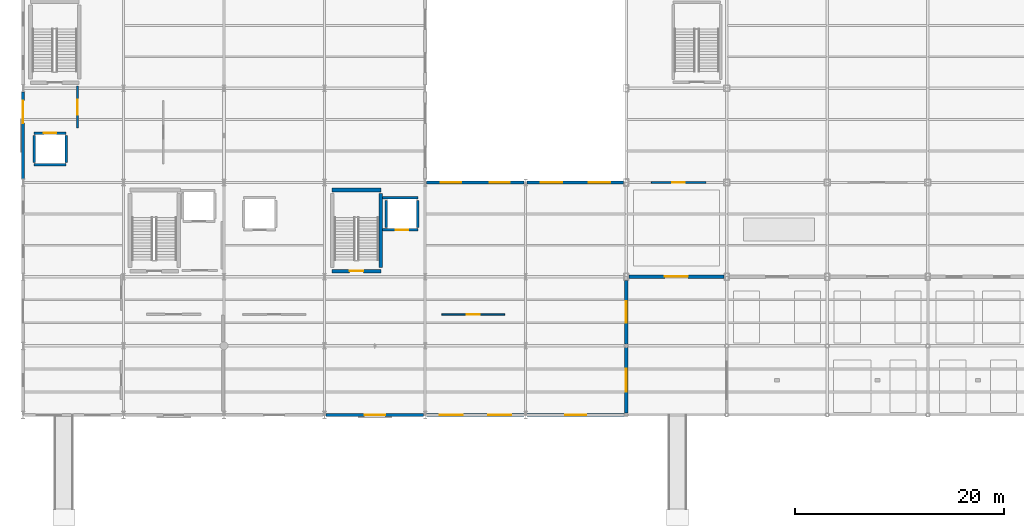
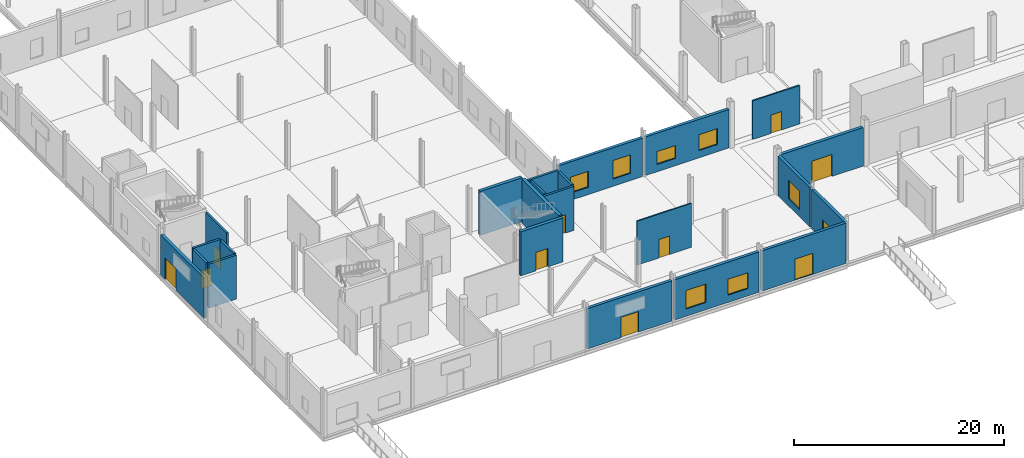
# One storey, part 66 of 85: 23 walls, 10 doors, 8 windows, 18 openings.
"""IFC4 building model written with IfcOpenShell, lengths in metres."""

from ifc_helpers import new_model, si_unit, direction, frame, frame_2d, origin, place, context, subcontext, project, spatial, rectangle, extrude, material, layer, layer_set, type_object, element, fill, save


model = new_model("IFC4")

# Units and contexts
model_context = context("Model", 3, precision=1e-05, world=origin(), true_north=direction((0.0, 1.0)))
body_context = subcontext(model_context, "Body", "Model", "MODEL_VIEW")
ifc_project = project(units=[si_unit("LENGTHUNIT", "METRE"), si_unit("AREAUNIT", "SQUARE_METRE"), si_unit("VOLUMEUNIT", "CUBIC_METRE"), si_unit("PLANEANGLEUNIT", "RADIAN"), si_unit("MASSUNIT", "GRAM", prefix="KILO")], contexts=[model_context])

# Site, building, storey
site_placement = place(None, origin())
site = spatial("IfcSite", under=ifc_project, at=site_placement, CompositionType="ELEMENT")
building_placement = place(site_placement, origin())
building = spatial("IfcBuilding", under=site, at=building_placement, Name="Zarnetskaya Central Station", CompositionType="ELEMENT")
storey_placement = place(building_placement, origin())
storey = spatial("IfcBuildingStorey", under=building, at=storey_placement, Name="L00", CompositionType="ELEMENT", Elevation=0.0)

# Wall, opening, door
ifc_material_1 = material(Name="Gypsum acoustic partition")
ifc_layer_1 = layer(ifc_material_1, 0.159912109375, Name="Gypsum acoustic partition")
ifc_layer_set_1 = layer_set([ifc_layer_1], Name="Gypsum acoustic partition")
wall_type_1 = type_object("IfcWallType", Name="PART-ACOU-160", PredefinedType="PARTITIONING", material=ifc_layer_set_1)
wall_1_placement = place(storey_placement, frame((60.0, 22.199951171875, 0.0), z_axis=(0.0, 0.0, 1.0), x_axis=(1.0, 0.0, 0.0)))
wall_1 = element("IfcWall", 1, at=wall_1_placement, inside=storey, type_object=wall_type_1, Name="Interior partition IPRT-L00-0383", PredefinedType="PARTITIONING", context=body_context, shape_type="SweptSolid", body=[
    extrude(rectangle(XDim=5.199951171875, YDim=0.159912109375, at=frame_2d((2.60009765625, 0.0))), origin(), (0.0, 0.0, 1.0), 4.489990234375),
])
opening_1_placement = place(wall_1_placement, frame((2.0, 0.0, 0.0)))
opening_1 = element("IfcOpeningElement", 2, at=opening_1_placement, cuts=wall_1, Name="Opening DR-17", PredefinedType="OPENING", context=body_context, shape_type="SweptSolid", body=[
    extrude(rectangle(XDim=1.199951171875, YDim=2.14990234375, at=frame_2d((0.60009765625, 1.074951171875))), frame((0.0, 0.08984375, 0.0), z_axis=(0.0, -1.0, 0.0), x_axis=(1.0, 0.0, 0.0)), (0.0, 0.0, 1.0), 0.179931640625),
])
ifc_material_2 = material(Name="Anodised aluminium", Category="aluminium")
door_type_1 = type_object("IfcDoorType", Name="DR-INT-09", OperationType="NOTDEFINED", PredefinedType="DOOR", material=ifc_material_2)
door_1_placement = place(opening_1_placement, origin())
door_1 = element("IfcDoor", 3, at=door_1_placement, inside=storey, type_object=door_type_1, Name="South Eaves Intercity Ticket Counters door", OperationType="SINGLE_SWING_LEFT", OverallHeight=2.14990234375, OverallWidth=1.199951171875, PredefinedType="DOOR", context=body_context, shape_type="SweptSolid", body=[
    extrude(rectangle(XDim=1.199951171875, YDim=2.14990234375, at=frame_2d((0.60009765625, 1.074951171875))), frame((0.0, 0.02490234375, 0.0), z_axis=(0.0, -1.0, 0.0), x_axis=(1.0, 0.0, 0.0)), (0.0, 0.0, 1.0), 0.050048828125),
])
fill(opening_1, door_1)

ifc_material_3 = material(Name="Concrete C30/37", Category="concrete")
ifc_layer_2 = layer(ifc_material_3, 0.205078125, Name="Concrete C30/37", Category="concrete")
ifc_layer_set_2 = layer_set([ifc_layer_2], Name="Concrete C30/37")
wall_type_2 = type_object("IfcWallType", Name="PART-FFL-205", PredefinedType="PARTITIONING", material=ifc_layer_set_2)
wall_2_placement = place(storey_placement, frame((5.199951171875, 31.39990234375, 0.0), z_axis=(0.0, 0.0, 1.0), x_axis=(0.0, -1.0, 0.0)))
wall_2 = element("IfcWall", 4, at=wall_2_placement, inside=storey, type_object=wall_type_2, Name="Interior partition IPRT-L00-0358", PredefinedType="PARTITIONING", context=body_context, shape_type="SweptSolid", body=[
    extrude(rectangle(XDim=4.0, YDim=0.205078125, at=frame_2d((2.0, 0.0))), origin(), (0.0, 0.0, 1.0), 5.1201171875),
])
opening_2_placement = place(wall_2_placement, frame((1.280029296875, 0.0, 0.0)))
opening_2 = element("IfcOpeningElement", 5, at=opening_2_placement, cuts=wall_2, Name="Opening DR-FFL", PredefinedType="OPENING", context=body_context, shape_type="SweptSolid", body=[
    extrude(rectangle(XDim=1.43994140625, YDim=2.179931640625, at=frame_2d((0.719970703125, 1.08984375))), frame((0.0, 0.112548828125, 0.0), z_axis=(0.0, -1.0, 0.0), x_axis=(1.0, 0.0, 0.0)), (0.0, 0.0, 1.0), 0.22509765625),
])
door_type_2 = type_object("IfcDoorType", Name="DR-FIRE-LOBBY", OperationType="NOTDEFINED", PredefinedType="DOOR", material=ifc_material_2)
door_2_placement = place(opening_2_placement, origin())
door_2 = element("IfcDoor", 6, at=door_2_placement, inside=storey, type_object=door_type_2, Name="Firefighting Lift Lobby C2 door", OperationType="SINGLE_SWING_LEFT", OverallHeight=2.179931640625, OverallWidth=1.43994140625, PredefinedType="DOOR", context=body_context, shape_type="SweptSolid", body=[
    extrude(rectangle(XDim=1.43994140625, YDim=2.179931640625, at=frame_2d((0.719970703125, 1.08984375))), frame((0.0, 0.02490234375, 0.0), z_axis=(0.0, -1.0, 0.0), x_axis=(1.0, 0.0, 0.0)), (0.0, 0.0, 1.0), 0.050048828125),
])
fill(opening_2, door_2)

ifc_layer_3 = layer(ifc_material_1, 0.1298828125, Name="Gypsum acoustic partition")
ifc_layer_set_3 = layer_set([ifc_layer_3], Name="Gypsum acoustic partition")
wall_type_3 = type_object("IfcWallType", Name="PART-OFF-130", PredefinedType="PARTITIONING", material=ifc_layer_set_3)
wall_3_placement = place(storey_placement, frame((40.0, 9.60009765625, 0.0), z_axis=(0.0, 0.0, 1.0), x_axis=(1.0, 0.0, 0.0)))
wall_3 = element("IfcWall", 7, at=wall_3_placement, inside=storey, type_object=wall_type_3, Name="Interior partition IPRT-L00-0406", PredefinedType="PARTITIONING", context=body_context, shape_type="SweptSolid", body=[
    extrude(rectangle(XDim=6.0, YDim=0.1298828125, at=frame_2d((3.0, 0.0))), origin(), (0.0, 0.0, 1.0), 5.1201171875),
])
opening_3_placement = place(wall_3_placement, frame((2.39990234375, 0.0, 0.0)))
opening_3 = element("IfcOpeningElement", 8, at=opening_3_placement, cuts=wall_3, Name="Opening DR-17", PredefinedType="OPENING", context=body_context, shape_type="SweptSolid", body=[
    extrude(rectangle(XDim=1.199951171875, YDim=2.14990234375, at=frame_2d((0.60009765625, 1.074951171875))), frame((0.0, 0.074951171875, 0.0), z_axis=(0.0, -1.0, 0.0), x_axis=(1.0, 0.0, 0.0)), (0.0, 0.0, 1.0), 0.14990234375),
])
door_3_placement = place(opening_3_placement, origin())
door_3 = element("IfcDoor", 9, at=door_3_placement, inside=storey, type_object=door_type_1, Name="VIP and Assisted Mobility Reception Lounge door", OperationType="SINGLE_SWING_RIGHT", OverallHeight=2.14990234375, OverallWidth=1.199951171875, PredefinedType="DOOR", context=body_context, shape_type="SweptSolid", body=[
    extrude(rectangle(XDim=1.199951171875, YDim=2.14990234375, at=frame_2d((0.60009765625, 1.074951171875))), frame((0.0, 0.02490234375, 0.0), z_axis=(0.0, -1.0, 0.0), x_axis=(1.0, 0.0, 0.0)), (0.0, 0.0, 1.0), 0.050048828125),
])
fill(opening_3, door_3)

ifc_material_4 = material(Name="Concrete C35/45", Category="concrete")
ifc_layer_4 = layer(ifc_material_4, 0.35009765625, Name="Concrete C35/45", Category="concrete")
ifc_layer_set_4 = layer_set([ifc_layer_4], Name="Concrete C35/45")
wall_type_4 = type_object("IfcWallType", Name="WALL-CORE-350", PredefinedType="SHEAR", material=ifc_layer_set_4)
wall_4_placement = place(storey_placement, frame((34.175048828125, 13.72509765625, 0.0), z_axis=(0.0, 0.0, 1.0), x_axis=(-1.0, 0.0, 0.0)))
wall_4 = element("IfcWall", 10, at=wall_4_placement, inside=storey, type_object=wall_type_4, Name="Core shear wall WSTR-L00-0249", PredefinedType="SHEAR", context=body_context, shape_type="SweptSolid", body=[
    extrude(rectangle(XDim=4.650146484375, YDim=0.35009765625, at=frame_2d((2.3251953125, 0.0))), origin(), (0.0, 0.0, 1.0), 5.1201171875),
])
opening_4_placement = place(wall_4_placement, frame((1.6650390625, 0.0, 0.0)))
opening_4 = element("IfcOpeningElement", 11, at=opening_4_placement, cuts=wall_4, Name="Opening DR-FD60", PredefinedType="OPENING", context=body_context, shape_type="SweptSolid", body=[
    extrude(rectangle(XDim=1.320068359375, YDim=2.14990234375, at=frame_2d((0.66015625, 1.074951171875))), frame((0.0, 0.18505859375, 0.0), z_axis=(0.0, -1.0, 0.0), x_axis=(1.0, 0.0, 0.0)), (0.0, 0.0, 1.0), 0.3701171875),
])
door_type_3 = type_object("IfcDoorType", Name="DR-FIRE-STAIR", OperationType="NOTDEFINED", PredefinedType="DOOR", material=ifc_material_2)
door_4_placement = place(opening_4_placement, origin())
door_4 = element("IfcDoor", 12, at=door_4_placement, inside=storey, type_object=door_type_3, Name="Protected exit stair door ST-C3 L00", OperationType="SINGLE_SWING_RIGHT", OverallHeight=2.14990234375, OverallWidth=1.320068359375, PredefinedType="DOOR", context=body_context, shape_type="SweptSolid", body=[
    extrude(rectangle(XDim=1.320068359375, YDim=2.14990234375, at=frame_2d((0.66015625, 1.074951171875))), frame((0.0, 0.02490234375, 0.0), z_axis=(0.0, -1.0, 0.0), x_axis=(1.0, 0.0, 0.0)), (0.0, 0.0, 1.0), 0.050048828125),
])
fill(opening_4, door_4)

# Walls
wall_5_placement = place(storey_placement, frame((29.52490234375, 21.47509765625, 0.0), z_axis=(0.0, 0.0, 1.0), x_axis=(1.0, 0.0, 0.0)))
element("IfcWall", 13, at=wall_5_placement, inside=storey, type_object=wall_type_4, Name="Core shear wall WSTR-L00-0250", PredefinedType="SHEAR", context=body_context, shape_type="SweptSolid", body=[
    extrude(rectangle(XDim=4.650146484375, YDim=0.35009765625, at=frame_2d((2.3251953125, 0.0))), origin(), (0.0, 0.0, 1.0), 5.1201171875),
])
wall_6_placement = place(storey_placement, frame((34.175048828125, 21.125, 0.0), z_axis=(0.0, 0.0, 1.0), x_axis=(0.0, -1.0, 0.0)))
element("IfcWall", 14, at=wall_6_placement, inside=storey, type_object=wall_type_4, Name="Core shear wall WSTR-L00-0252", PredefinedType="SHEAR", context=body_context, shape_type="SweptSolid", body=[
    extrude(rectangle(XDim=7.050048828125, YDim=0.35009765625, at=frame_2d((3.52490234375, 0.0))), origin(), (0.0, 0.0, 1.0), 5.1201171875),
])

# Wall, opening, door
ifc_material_5 = material(Name="Precast concrete C40/50", Category="concrete")
ifc_layer_5 = layer(ifc_material_5, 0.340087890625, Name="Precast concrete C40/50", Category="concrete")
ifc_layer_set_5 = layer_set([ifc_layer_5], Name="Precast concrete C40/50")
wall_type_5 = type_object("IfcWallType", Name="WALL-EAVE-340", PredefinedType="SOLIDWALL", material=ifc_layer_set_5)
wall_7_placement = place(storey_placement, frame((66.949951171875, 13.199951171875, 0.0), z_axis=(0.0, 0.0, 1.0), x_axis=(-1.0, 0.0, 0.0)))
wall_7 = element("IfcWall", 15, at=wall_7_placement, inside=storey, type_object=wall_type_5, Name="Exterior precast wall EW-L00-670-132-578-132", PredefinedType="SOLIDWALL", context=body_context, shape_type="SweptSolid", body=[
    extrude(rectangle(XDim=9.099853515625, YDim=0.340087890625, at=frame_2d((4.5498046875, 0.0))), origin(), (0.0, 0.0, 1.0), 4.489990234375),
])
opening_5_placement = place(wall_7_placement, frame((3.449951171875, 0.0, 0.0)))
opening_5 = element("IfcOpeningElement", 16, at=opening_5_placement, cuts=wall_7, Name="Opening ED-02", PredefinedType="OPENING", context=body_context, shape_type="SweptSolid", body=[
    extrude(rectangle(XDim=2.199951171875, YDim=2.550048828125, at=frame_2d((1.10009765625, 1.27490234375))), frame((0.0, 0.18017578125, 0.0), z_axis=(0.0, -1.0, 0.0), x_axis=(1.0, 0.0, 0.0)), (0.0, 0.0, 1.0), 0.360107421875),
])
door_type_4 = type_object("IfcDoorType", Name="DR-EXT-220x255", OperationType="NOTDEFINED", PredefinedType="DOOR", material=ifc_material_2)
door_5_placement = place(opening_5_placement, origin())
door_5 = element("IfcDoor", 17, at=door_5_placement, inside=storey, type_object=door_type_4, Name="Pedestrian final exit door ED-09", OperationType="DOUBLE_DOOR_SINGLE_SWING", OverallHeight=2.550048828125, OverallWidth=2.199951171875, PredefinedType="DOOR", context=body_context, shape_type="SweptSolid", body=[
    extrude(rectangle(XDim=2.199951171875, YDim=2.550048828125, at=frame_2d((1.10009765625, 1.27490234375))), frame((0.0, 0.02490234375, 0.0), z_axis=(0.0, -1.0, 0.0), x_axis=(1.0, 0.0, 0.0)), (0.0, 0.0, 1.0), 0.050048828125),
])
fill(opening_5, door_5)

ifc_layer_6 = layer(ifc_material_5, 0.320068359375, Name="Precast concrete C40/50", Category="concrete")
ifc_layer_set_6 = layer_set([ifc_layer_6], Name="Precast concrete C40/50")
wall_type_6 = type_object("IfcWallType", Name="WALL-EXT-320", PredefinedType="SOLIDWALL", material=ifc_layer_set_6)
wall_8_placement = place(storey_placement, frame((0.0, 22.550048828125, 0.0), z_axis=(0.0, 0.0, 1.0), x_axis=(0.0, 1.0, 0.0)))
wall_8 = element("IfcWall", 18, at=wall_8_placement, inside=storey, type_object=wall_type_6, Name="Exterior precast wall EW-L00-0-226-0-308", PredefinedType="SOLIDWALL", context=body_context, shape_type="SweptSolid", body=[
    extrude(rectangle(XDim=8.300048828125, YDim=0.320068359375, at=frame_2d((4.14990234375, 0.0))), origin(), (0.0, 0.0, 1.0), 4.68994140625),
])
opening_6_placement = place(wall_8_placement, frame((5.320068359375, 0.0, 0.0)))
opening_6 = element("IfcOpeningElement", 19, at=opening_6_placement, cuts=wall_8, Name="Opening ED-13", PredefinedType="OPENING", context=body_context, shape_type="SweptSolid", body=[
    extrude(rectangle(XDim=2.14990234375, YDim=2.5, at=frame_2d((1.074951171875, 1.25))), frame((0.0, 0.169921875, 0.0), z_axis=(0.0, -1.0, 0.0), x_axis=(1.0, 0.0, 0.0)), (0.0, 0.0, 1.0), 0.340087890625),
])
door_type_5 = type_object("IfcDoorType", Name="DR-EXT-215x250", OperationType="NOTDEFINED", PredefinedType="DOOR", material=ifc_material_2)
door_6_placement = place(opening_6_placement, origin())
door_6 = element("IfcDoor", 20, at=door_6_placement, inside=storey, type_object=door_type_5, Name="Pedestrian final exit door ED-02", OperationType="DOUBLE_DOOR_SINGLE_SWING", OverallHeight=2.5, OverallWidth=2.14990234375, PredefinedType="DOOR", context=body_context, shape_type="SweptSolid", body=[
    extrude(rectangle(XDim=2.14990234375, YDim=2.5, at=frame_2d((1.074951171875, 1.25))), frame((0.0, 0.02490234375, 0.0), z_axis=(0.0, -1.0, 0.0), x_axis=(1.0, 0.0, 0.0)), (0.0, 0.0, 1.0), 0.050048828125),
])
fill(opening_6, door_6)

# Wall, openings, windows
wall_9_placement = place(storey_placement, frame((38.550048828125, 22.199951171875, 0.0), z_axis=(0.0, 0.0, 1.0), x_axis=(1.0, 0.0, 0.0)))
wall_9 = element("IfcWall", 21, at=wall_9_placement, inside=storey, type_object=wall_type_6, Name="Exterior precast wall EW-L00-386-222-478-222", PredefinedType="SOLIDWALL", context=body_context, shape_type="SweptSolid", body=[
    extrude(rectangle(XDim=9.300048828125, YDim=0.320068359375, at=frame_2d((4.64990234375, 0.0))), origin(), (0.0, 0.0, 1.0), 4.489990234375),
])
opening_7_placement = place(wall_9_placement, frame((1.35009765625, 0.0, 0.85009765625)))
opening_7 = element("IfcOpeningElement", 22, at=opening_7_placement, cuts=wall_9, Name="Opening WN-48", PredefinedType="OPENING", context=body_context, shape_type="SweptSolid", body=[
    extrude(rectangle(XDim=1.949951171875, YDim=1.85009765625, at=frame_2d((0.97509765625, 0.925048828125))), frame((0.0, 0.169921875, 0.0), z_axis=(0.0, -1.0, 0.0), x_axis=(1.0, 0.0, 0.0)), (0.0, 0.0, 1.0), 0.340087890625),
])
opening_8_placement = place(wall_9_placement, frame((6.0, 0.0, 0.85009765625)))
opening_8 = element("IfcOpeningElement", 23, at=opening_8_placement, cuts=wall_9, Name="Opening WN-11", PredefinedType="OPENING", context=body_context, shape_type="SweptSolid", body=[
    extrude(rectangle(XDim=1.949951171875, YDim=2.14990234375, at=frame_2d((0.97509765625, 1.074951171875))), frame((0.0, 0.169921875, 0.0), z_axis=(0.0, -1.0, 0.0), x_axis=(1.0, 0.0, 0.0)), (0.0, 0.0, 1.0), 0.340087890625),
])
ifc_material_6 = material(Name="Low-E insulated glass", Category="glass")
window_type_1 = type_object("IfcWindowType", Name="WIN-26", PartitioningType="DOUBLE_PANEL_VERTICAL", PredefinedType="WINDOW", material=ifc_material_6)
window_1_placement = place(opening_7_placement, origin())
window_1 = element("IfcWindow", 24, at=window_1_placement, inside=storey, type_object=window_type_1, Name="Facade window L00-0026", OverallHeight=1.85009765625, OverallWidth=1.949951171875, PartitioningType="SINGLE_PANEL", PredefinedType="WINDOW", context=body_context, shape_type="SweptSolid", body=[
    extrude(rectangle(XDim=1.949951171875, YDim=1.85009765625, at=frame_2d((0.97509765625, 0.925048828125))), frame((0.0, 0.030029296875, 0.0), z_axis=(0.0, -1.0, 0.0), x_axis=(1.0, 0.0, 0.0)), (0.0, 0.0, 1.0), 0.06005859375),
])
fill(opening_7, window_1)
window_type_2 = type_object("IfcWindowType", Name="WIN-27", PartitioningType="DOUBLE_PANEL_VERTICAL", PredefinedType="WINDOW", material=ifc_material_6)
window_2_placement = place(opening_8_placement, origin())
window_2 = element("IfcWindow", 25, at=window_2_placement, inside=storey, type_object=window_type_2, Name="Facade window L00-0027", OverallHeight=2.14990234375, OverallWidth=1.949951171875, PartitioningType="SINGLE_PANEL", PredefinedType="WINDOW", context=body_context, shape_type="SweptSolid", body=[
    extrude(rectangle(XDim=1.949951171875, YDim=2.14990234375, at=frame_2d((0.97509765625, 1.074951171875))), frame((0.0, 0.030029296875, 0.0), z_axis=(0.0, -1.0, 0.0), x_axis=(1.0, 0.0, 0.0)), (0.0, 0.0, 1.0), 0.06005859375),
])
fill(opening_8, window_2)

wall_10_placement = place(storey_placement, frame((48.14990234375, 22.199951171875, 0.0), z_axis=(0.0, 0.0, 1.0), x_axis=(1.0, 0.0, 0.0)))
wall_10 = element("IfcWall", 26, at=wall_10_placement, inside=storey, type_object=wall_type_6, Name="Exterior precast wall EW-L00-482-222-574-222", PredefinedType="SOLIDWALL", context=body_context, shape_type="SweptSolid", body=[
    extrude(rectangle(XDim=9.2001953125, YDim=0.320068359375, at=frame_2d((4.60009765625, 0.0))), origin(), (0.0, 0.0, 1.0), 4.489990234375),
])
opening_9_placement = place(wall_10_placement, frame((1.27490234375, 0.0, 0.85009765625)))
opening_9 = element("IfcOpeningElement", 27, at=opening_9_placement, cuts=wall_10, Name="Opening WN-28", PredefinedType="OPENING", context=body_context, shape_type="SweptSolid", body=[
    extrude(rectangle(XDim=2.050048828125, YDim=1.5, at=frame_2d((1.02490234375, 0.75))), frame((0.0, 0.169921875, 0.0), z_axis=(0.0, -1.0, 0.0), x_axis=(1.0, 0.0, 0.0)), (0.0, 0.0, 1.0), 0.340087890625),
])
opening_10_placement = place(wall_10_placement, frame((5.875, 0.0, 0.85009765625)))
opening_10 = element("IfcOpeningElement", 28, at=opening_10_placement, cuts=wall_10, Name="Opening WN-37", PredefinedType="OPENING", context=body_context, shape_type="SweptSolid", body=[
    extrude(rectangle(XDim=2.050048828125, YDim=1.85009765625, at=frame_2d((1.02490234375, 0.925048828125))), frame((0.0, 0.169921875, 0.0), z_axis=(0.0, -1.0, 0.0), x_axis=(1.0, 0.0, 0.0)), (0.0, 0.0, 1.0), 0.340087890625),
])
window_type_3 = type_object("IfcWindowType", Name="WIN-28", PartitioningType="DOUBLE_PANEL_VERTICAL", PredefinedType="WINDOW", material=ifc_material_6)
window_3_placement = place(opening_9_placement, origin())
window_3 = element("IfcWindow", 29, at=window_3_placement, inside=storey, type_object=window_type_3, Name="Facade window L00-0028", OverallHeight=1.5, OverallWidth=2.050048828125, PartitioningType="SINGLE_PANEL", PredefinedType="WINDOW", context=body_context, shape_type="SweptSolid", body=[
    extrude(rectangle(XDim=2.050048828125, YDim=1.5, at=frame_2d((1.02490234375, 0.75))), frame((0.0, 0.030029296875, 0.0), z_axis=(0.0, -1.0, 0.0), x_axis=(1.0, 0.0, 0.0)), (0.0, 0.0, 1.0), 0.06005859375),
])
fill(opening_9, window_3)
window_type_4 = type_object("IfcWindowType", Name="WIN-29", PartitioningType="DOUBLE_PANEL_VERTICAL", PredefinedType="WINDOW", material=ifc_material_6)
window_4_placement = place(opening_10_placement, origin())
window_4 = element("IfcWindow", 30, at=window_4_placement, inside=storey, type_object=window_type_4, Name="Facade window L00-0029", OverallHeight=1.85009765625, OverallWidth=2.050048828125, PartitioningType="SINGLE_PANEL", PredefinedType="WINDOW", context=body_context, shape_type="SweptSolid", body=[
    extrude(rectangle(XDim=2.050048828125, YDim=1.85009765625, at=frame_2d((1.02490234375, 0.925048828125))), frame((0.0, 0.030029296875, 0.0), z_axis=(0.0, -1.0, 0.0), x_axis=(1.0, 0.0, 0.0)), (0.0, 0.0, 1.0), 0.06005859375),
])
fill(opening_10, window_4)

# Wall, opening, window
wall_11_placement = place(storey_placement, frame((57.60009765625, 12.85009765625, 0.0), z_axis=(0.0, 0.0, 1.0), x_axis=(0.0, -1.0, 0.0)))
wall_11 = element("IfcWall", 31, at=wall_11_placement, inside=storey, type_object=wall_type_6, Name="Exterior precast wall EW-L00-576-128-576-68", PredefinedType="SOLIDWALL", context=body_context, shape_type="SweptSolid", body=[
    extrude(rectangle(XDim=6.072265625, YDim=0.320068359375, at=frame_2d((3.0361328125, 0.0))), origin(), (0.0, 0.0, 1.0), 4.590087890625),
])
opening_11_placement = place(wall_11_placement, frame((2.010986328125, 0.0, 0.85009765625)))
opening_11 = element("IfcOpeningElement", 32, at=opening_11_placement, cuts=wall_11, Name="Opening WN-20", PredefinedType="OPENING", context=body_context, shape_type="SweptSolid", body=[
    extrude(rectangle(XDim=2.050048828125, YDim=2.14990234375, at=frame_2d((1.02490234375, 1.074951171875))), frame((0.0, 0.169921875, 0.0), z_axis=(0.0, -1.0, 0.0), x_axis=(1.0, 0.0, 0.0)), (0.0, 0.0, 1.0), 0.340087890625),
])
window_type_5 = type_object("IfcWindowType", Name="WIN-30", PartitioningType="DOUBLE_PANEL_VERTICAL", PredefinedType="WINDOW", material=ifc_material_6)
window_5_placement = place(opening_11_placement, origin())
window_5 = element("IfcWindow", 33, at=window_5_placement, inside=storey, type_object=window_type_5, Name="Facade window L00-0030", OverallHeight=2.14990234375, OverallWidth=2.050048828125, PartitioningType="SINGLE_PANEL", PredefinedType="WINDOW", context=body_context, shape_type="SweptSolid", body=[
    extrude(rectangle(XDim=2.050048828125, YDim=2.14990234375, at=frame_2d((1.02490234375, 1.074951171875))), frame((0.0, 0.030029296875, 0.0), z_axis=(0.0, -1.0, 0.0), x_axis=(1.0, 0.0, 0.0)), (0.0, 0.0, 1.0), 0.06005859375),
])
fill(opening_11, window_5)

wall_12_placement = place(storey_placement, frame((57.60009765625, 6.422119140625, 0.0), z_axis=(0.0, 0.0, 1.0), x_axis=(0.0, -1.0, 0.0)))
wall_12 = element("IfcWall", 34, at=wall_12_placement, inside=storey, type_object=wall_type_6, Name="Exterior precast wall EW-L00-576-64-576-2", PredefinedType="SOLIDWALL", context=body_context, shape_type="SweptSolid", body=[
    extrude(rectangle(XDim=6.244384765625, YDim=0.320068359375, at=frame_2d((3.1220703125, 0.0))), origin(), (0.0, 0.0, 1.0), 4.590087890625),
])
opening_12_placement = place(wall_12_placement, frame((2.022216796875, 0.0, 0.85009765625)))
opening_12 = element("IfcOpeningElement", 35, at=opening_12_placement, cuts=wall_12, Name="Opening WN-15", PredefinedType="OPENING", context=body_context, shape_type="SweptSolid", body=[
    extrude(rectangle(XDim=2.199951171875, YDim=1.5, at=frame_2d((1.10009765625, 0.75))), frame((0.0, 0.169921875, 0.0), z_axis=(0.0, -1.0, 0.0), x_axis=(1.0, 0.0, 0.0)), (0.0, 0.0, 1.0), 0.340087890625),
])
window_type_6 = type_object("IfcWindowType", Name="WIN-31", PartitioningType="DOUBLE_PANEL_VERTICAL", PredefinedType="WINDOW", material=ifc_material_6)
window_6_placement = place(opening_12_placement, origin())
window_6 = element("IfcWindow", 36, at=window_6_placement, inside=storey, type_object=window_type_6, Name="Facade window L00-0031", OverallHeight=1.5, OverallWidth=2.199951171875, PartitioningType="SINGLE_PANEL", PredefinedType="WINDOW", context=body_context, shape_type="SweptSolid", body=[
    extrude(rectangle(XDim=2.199951171875, YDim=1.5, at=frame_2d((1.10009765625, 0.75))), frame((0.0, 0.030029296875, 0.0), z_axis=(0.0, -1.0, 0.0), x_axis=(1.0, 0.0, 0.0)), (0.0, 0.0, 1.0), 0.06005859375),
])
fill(opening_12, window_6)

# Wall, opening, door
wall_13_placement = place(storey_placement, frame((57.422119140625, 0.0, 0.0), z_axis=(0.0, 0.0, 1.0), x_axis=(-1.0, 0.0, 0.0)))
wall_13 = element("IfcWall", 37, at=wall_13_placement, inside=storey, type_object=wall_type_6, Name="Exterior precast wall EW-L00-574-0-482-0", PredefinedType="SOLIDWALL", context=body_context, shape_type="SweptSolid", body=[
    extrude(rectangle(XDim=9.272216796875, YDim=0.320068359375, at=frame_2d((4.63623046875, 0.0))), origin(), (0.0, 0.0, 1.0), 4.68994140625),
])
opening_13_placement = place(wall_13_placement, frame((3.635986328125, 0.0, 0.0)))
opening_13 = element("IfcOpeningElement", 38, at=opening_13_placement, cuts=wall_13, Name="Opening ED-03", PredefinedType="OPENING", context=body_context, shape_type="SweptSolid", body=[
    extrude(rectangle(XDim=2.0, YDim=2.449951171875, at=frame_2d((1.0, 1.22509765625))), frame((0.0, 0.169921875, 0.0), z_axis=(0.0, -1.0, 0.0), x_axis=(1.0, 0.0, 0.0)), (0.0, 0.0, 1.0), 0.340087890625),
])
door_type_6 = type_object("IfcDoorType", Name="DR-EXT-200x245", OperationType="NOTDEFINED", PredefinedType="DOOR", material=ifc_material_2)
door_7_placement = place(opening_13_placement, origin())
door_7 = element("IfcDoor", 39, at=door_7_placement, inside=storey, type_object=door_type_6, Name="Pedestrian final exit door ED-05", OperationType="DOUBLE_DOOR_SINGLE_SWING", OverallHeight=2.449951171875, OverallWidth=2.0, PredefinedType="DOOR", context=body_context, shape_type="SweptSolid", body=[
    extrude(rectangle(XDim=2.0, YDim=2.449951171875, at=frame_2d((1.0, 1.22509765625))), frame((0.0, 0.02490234375, 0.0), z_axis=(0.0, -1.0, 0.0), x_axis=(1.0, 0.0, 0.0)), (0.0, 0.0, 1.0), 0.050048828125),
])
fill(opening_13, door_7)

# Wall, openings, windows
wall_14_placement = place(storey_placement, frame((47.85009765625, 0.0, 0.0), z_axis=(0.0, 0.0, 1.0), x_axis=(-1.0, 0.0, 0.0)))
wall_14 = element("IfcWall", 40, at=wall_14_placement, inside=storey, type_object=wall_type_6, Name="Exterior precast wall EW-L00-478-0-386-0", PredefinedType="SOLIDWALL", context=body_context, shape_type="SweptSolid", body=[
    extrude(rectangle(XDim=9.300048828125, YDim=0.320068359375, at=frame_2d((4.64990234375, 0.0))), origin(), (0.0, 0.0, 1.0), 4.68994140625),
])
opening_14_placement = place(wall_14_placement, frame((1.22509765625, 0.0, 0.85009765625)))
opening_14 = element("IfcOpeningElement", 41, at=opening_14_placement, cuts=wall_14, Name="Opening WN-22", PredefinedType="OPENING", context=body_context, shape_type="SweptSolid", body=[
    extrude(rectangle(XDim=2.199951171875, YDim=1.85009765625, at=frame_2d((1.10009765625, 0.925048828125))), frame((0.0, 0.169921875, 0.0), z_axis=(0.0, -1.0, 0.0), x_axis=(1.0, 0.0, 0.0)), (0.0, 0.0, 1.0), 0.340087890625),
])
opening_15_placement = place(wall_14_placement, frame((5.875, 0.0, 0.85009765625)))
opening_15 = element("IfcOpeningElement", 42, at=opening_15_placement, cuts=wall_14, Name="Opening WN-12", PredefinedType="OPENING", context=body_context, shape_type="SweptSolid", body=[
    extrude(rectangle(XDim=2.199951171875, YDim=2.14990234375, at=frame_2d((1.10009765625, 1.074951171875))), frame((0.0, 0.169921875, 0.0), z_axis=(0.0, -1.0, 0.0), x_axis=(1.0, 0.0, 0.0)), (0.0, 0.0, 1.0), 0.340087890625),
])
window_type_7 = type_object("IfcWindowType", Name="WIN-32", PartitioningType="DOUBLE_PANEL_VERTICAL", PredefinedType="WINDOW", material=ifc_material_6)
window_7_placement = place(opening_14_placement, origin())
window_7 = element("IfcWindow", 43, at=window_7_placement, inside=storey, type_object=window_type_7, Name="Facade window L00-0032", OverallHeight=1.85009765625, OverallWidth=2.199951171875, PartitioningType="SINGLE_PANEL", PredefinedType="WINDOW", context=body_context, shape_type="SweptSolid", body=[
    extrude(rectangle(XDim=2.199951171875, YDim=1.85009765625, at=frame_2d((1.10009765625, 0.925048828125))), frame((0.0, 0.030029296875, 0.0), z_axis=(0.0, -1.0, 0.0), x_axis=(1.0, 0.0, 0.0)), (0.0, 0.0, 1.0), 0.06005859375),
])
fill(opening_14, window_7)
window_type_8 = type_object("IfcWindowType", Name="WIN-33", PartitioningType="DOUBLE_PANEL_VERTICAL", PredefinedType="WINDOW", material=ifc_material_6)
window_8_placement = place(opening_15_placement, origin())
window_8 = element("IfcWindow", 44, at=window_8_placement, inside=storey, type_object=window_type_8, Name="Facade window L00-0033", OverallHeight=2.14990234375, OverallWidth=2.199951171875, PartitioningType="SINGLE_PANEL", PredefinedType="WINDOW", context=body_context, shape_type="SweptSolid", body=[
    extrude(rectangle(XDim=2.199951171875, YDim=2.14990234375, at=frame_2d((1.10009765625, 1.074951171875))), frame((0.0, 0.030029296875, 0.0), z_axis=(0.0, -1.0, 0.0), x_axis=(1.0, 0.0, 0.0)), (0.0, 0.0, 1.0), 0.06005859375),
])
fill(opening_15, window_8)

# Wall, opening, door
wall_15_placement = place(storey_placement, frame((38.25, 0.0, 0.0), z_axis=(0.0, 0.0, 1.0), x_axis=(-1.0, 0.0, 0.0)))
wall_15 = element("IfcWall", 45, at=wall_15_placement, inside=storey, type_object=wall_type_6, Name="Exterior precast wall EW-L00-382-0-290-0", PredefinedType="SOLIDWALL", context=body_context, shape_type="SweptSolid", body=[
    extrude(rectangle(XDim=9.300048828125, YDim=0.320068359375, at=frame_2d((4.64990234375, 0.0))), origin(), (0.0, 0.0, 1.0), 4.68994140625),
])
opening_16_placement = place(wall_15_placement, frame((3.675048828125, 0.0, 0.0)))
opening_16 = element("IfcOpeningElement", 46, at=opening_16_placement, cuts=wall_15, Name="Opening ED-08", PredefinedType="OPENING", context=body_context, shape_type="SweptSolid", body=[
    extrude(rectangle(XDim=1.949951171875, YDim=2.39990234375, at=frame_2d((0.97509765625, 1.199951171875))), frame((0.0, 0.169921875, 0.0), z_axis=(0.0, -1.0, 0.0), x_axis=(1.0, 0.0, 0.0)), (0.0, 0.0, 1.0), 0.340087890625),
])
door_type_7 = type_object("IfcDoorType", Name="DR-EXT-195x240", OperationType="NOTDEFINED", PredefinedType="DOOR", material=ifc_material_2)
door_8_placement = place(opening_16_placement, origin())
door_8 = element("IfcDoor", 47, at=door_8_placement, inside=storey, type_object=door_type_7, Name="Pedestrian final exit door ED-06", OperationType="DOUBLE_DOOR_SINGLE_SWING", OverallHeight=2.39990234375, OverallWidth=1.949951171875, PredefinedType="DOOR", context=body_context, shape_type="SweptSolid", body=[
    extrude(rectangle(XDim=1.949951171875, YDim=2.39990234375, at=frame_2d((0.97509765625, 1.199951171875))), frame((0.0, 0.02490234375, 0.0), z_axis=(0.0, -1.0, 0.0), x_axis=(1.0, 0.0, 0.0)), (0.0, 0.0, 1.0), 0.050048828125),
])
fill(opening_16, door_8)

# Wall
ifc_layer_7 = layer(ifc_material_4, 0.239990234375, Name="Concrete C35/45", Category="concrete")
ifc_layer_set_7 = layer_set([ifc_layer_7], Name="Concrete C35/45")
wall_type_7 = type_object("IfcWallType", Name="WALL-SHFT-240", PredefinedType="SHEAR", material=ifc_layer_set_7)
wall_16_placement = place(storey_placement, frame((4.1201171875, 23.8798828125, 0.0), z_axis=(0.0, 0.0, 1.0), x_axis=(-1.0, 0.0, 0.0)))
element("IfcWall", 48, at=wall_16_placement, inside=storey, type_object=wall_type_7, Name="Core shear wall WSHF-L00-0061", PredefinedType="SHEAR", context=body_context, shape_type="SweptSolid", body=[
    extrude(rectangle(XDim=3.0400390625, YDim=0.239990234375, at=frame_2d((1.52001953125, 0.0))), origin(), (0.0, 0.0, 1.0), 5.1201171875),
])

# Wall, opening, door
wall_17_placement = place(storey_placement, frame((1.080078125, 26.919921875, 0.0), z_axis=(0.0, 0.0, 1.0), x_axis=(1.0, 0.0, 0.0)))
wall_17 = element("IfcWall", 49, at=wall_17_placement, inside=storey, type_object=wall_type_7, Name="Core shear wall WSHF-L00-0062", PredefinedType="SHEAR", context=body_context, shape_type="SweptSolid", body=[
    extrude(rectangle(XDim=3.0400390625, YDim=0.239990234375, at=frame_2d((1.52001953125, 0.0))), origin(), (0.0, 0.0, 1.0), 5.1201171875),
])
opening_17_placement = place(wall_17_placement, frame((0.919921875, 0.0, 0.0)))
opening_17 = element("IfcOpeningElement", 50, at=opening_17_placement, cuts=wall_17, Name="Opening LD-FF", PredefinedType="OPENING", context=body_context, shape_type="SweptSolid", body=[
    extrude(rectangle(XDim=1.199951171875, YDim=2.14990234375, at=frame_2d((0.60009765625, 1.074951171875))), frame((0.0, 0.1298828125, 0.0), z_axis=(0.0, -1.0, 0.0), x_axis=(1.0, 0.0, 0.0)), (0.0, 0.0, 1.0), 0.260009765625),
])
door_type_8 = type_object("IfcDoorType", Name="DR-LIFT-FF", OperationType="NOTDEFINED", PredefinedType="DOOR", material=ifc_material_2)
door_9_placement = place(opening_17_placement, origin())
door_9 = element("IfcDoor", 51, at=door_9_placement, inside=storey, type_object=door_type_8, Name="Lift landing sliding door FL-02 L00", OperationType="DOUBLE_DOOR_SLIDING", OverallHeight=2.14990234375, OverallWidth=1.199951171875, PredefinedType="DOOR", context=body_context, shape_type="SweptSolid", body=[
    extrude(rectangle(XDim=1.199951171875, YDim=2.14990234375, at=frame_2d((0.60009765625, 1.074951171875))), frame((0.0, 0.02490234375, 0.0), z_axis=(0.0, -1.0, 0.0), x_axis=(1.0, 0.0, 0.0)), (0.0, 0.0, 1.0), 0.050048828125),
])
fill(opening_17, door_9)

# Walls
for number, where, z_axis, x_axis, name in (
    (52, (1.080078125, 24.1201171875, 0.0), (0.0, 0.0, 1.0), (0.0, 1.0, 0.0), "Core shear wall WSHF-L00-0063"),
    (53, (4.1201171875, 26.679931640625, 0.0), (0.0, 0.0, 1.0), (0.0, -1.0, 0.0), "Core shear wall WSHF-L00-0064"),
):
    element("IfcWall", number, at=place(storey_placement, frame(where, z_axis=z_axis, x_axis=x_axis)), inside=storey, type_object=wall_type_7, Name=name, PredefinedType="SHEAR", context=body_context, shape_type="SweptSolid", body=[
        extrude(rectangle(XDim=2.559814453125, YDim=0.239990234375, at=frame_2d((1.27978515625, 0.0))), origin(), (0.0, 0.0, 1.0), 5.1201171875),
    ])

# Wall, opening, door
wall_18_placement = place(storey_placement, frame((37.719970703125, 17.679931640625, 0.0), z_axis=(0.0, 0.0, 1.0), x_axis=(-1.0, 0.0, 0.0)))
wall_18 = element("IfcWall", 54, at=wall_18_placement, inside=storey, type_object=wall_type_7, Name="Core shear wall WSHF-L00-0117", PredefinedType="SHEAR", context=body_context, shape_type="SweptSolid", body=[
    extrude(rectangle(XDim=3.369873046875, YDim=0.239990234375, at=frame_2d((1.68505859375, 0.0))), origin(), (0.0, 0.0, 1.0), 5.1201171875),
])
opening_18_placement = place(wall_18_placement, frame((0.93994140625, 0.0, 0.0)))
opening_18 = element("IfcOpeningElement", 55, at=opening_18_placement, cuts=wall_18, Name="Opening DR-24", PredefinedType="OPENING", context=body_context, shape_type="SweptSolid", body=[
    extrude(rectangle(XDim=1.159912109375, YDim=2.14990234375, at=frame_2d((0.580078125, 1.074951171875))), frame((0.0, 0.1298828125, 0.0), z_axis=(0.0, -1.0, 0.0), x_axis=(1.0, 0.0, 0.0)), (0.0, 0.0, 1.0), 0.260009765625),
])
door_type_9 = type_object("IfcDoorType", Name="DR-LIFT-PAX", OperationType="NOTDEFINED", PredefinedType="DOOR", material=ifc_material_2)
door_10_placement = place(opening_18_placement, origin())
door_10 = element("IfcDoor", 56, at=door_10_placement, inside=storey, type_object=door_type_9, Name="Lift landing sliding door LP-03 L00", OperationType="DOUBLE_DOOR_SLIDING", OverallHeight=2.14990234375, OverallWidth=1.159912109375, PredefinedType="DOOR", context=body_context, shape_type="SweptSolid", body=[
    extrude(rectangle(XDim=1.159912109375, YDim=2.14990234375, at=frame_2d((0.580078125, 1.074951171875))), frame((0.0, 0.02490234375, 0.0), z_axis=(0.0, -1.0, 0.0), x_axis=(1.0, 0.0, 0.0)), (0.0, 0.0, 1.0), 0.050048828125),
])
fill(opening_18, door_10)

# Walls
wall_19_placement = place(storey_placement, frame((34.35009765625, 20.719970703125, 0.0), z_axis=(0.0, 0.0, 1.0), x_axis=(1.0, 0.0, 0.0)))
element("IfcWall", 57, at=wall_19_placement, inside=storey, type_object=wall_type_7, Name="Core shear wall WSHF-L00-0118", PredefinedType="SHEAR", context=body_context, shape_type="SweptSolid", body=[
    extrude(rectangle(XDim=3.369873046875, YDim=0.239990234375, at=frame_2d((1.68505859375, 0.0))), origin(), (0.0, 0.0, 1.0), 5.1201171875),
])
for number, where, z_axis, x_axis, name in (
    (58, (34.679931640625, 17.919921875, 0.0), (0.0, 0.0, 1.0), (0.0, 1.0, 0.0), "Core shear wall WSHF-L00-0119"),
    (59, (37.719970703125, 20.47998046875, 0.0), (0.0, 0.0, 1.0), (0.0, -1.0, 0.0), "Core shear wall WSHF-L00-0120"),
):
    element("IfcWall", number, at=place(storey_placement, frame(where, z_axis=z_axis, x_axis=x_axis)), inside=storey, type_object=wall_type_7, Name=name, PredefinedType="SHEAR", context=body_context, shape_type="SweptSolid", body=[
        extrude(rectangle(XDim=2.56005859375, YDim=0.239990234375, at=frame_2d((1.280029296875, 0.0))), origin(), (0.0, 0.0, 1.0), 5.1201171875),
    ])

save(model, "model.ifc")
